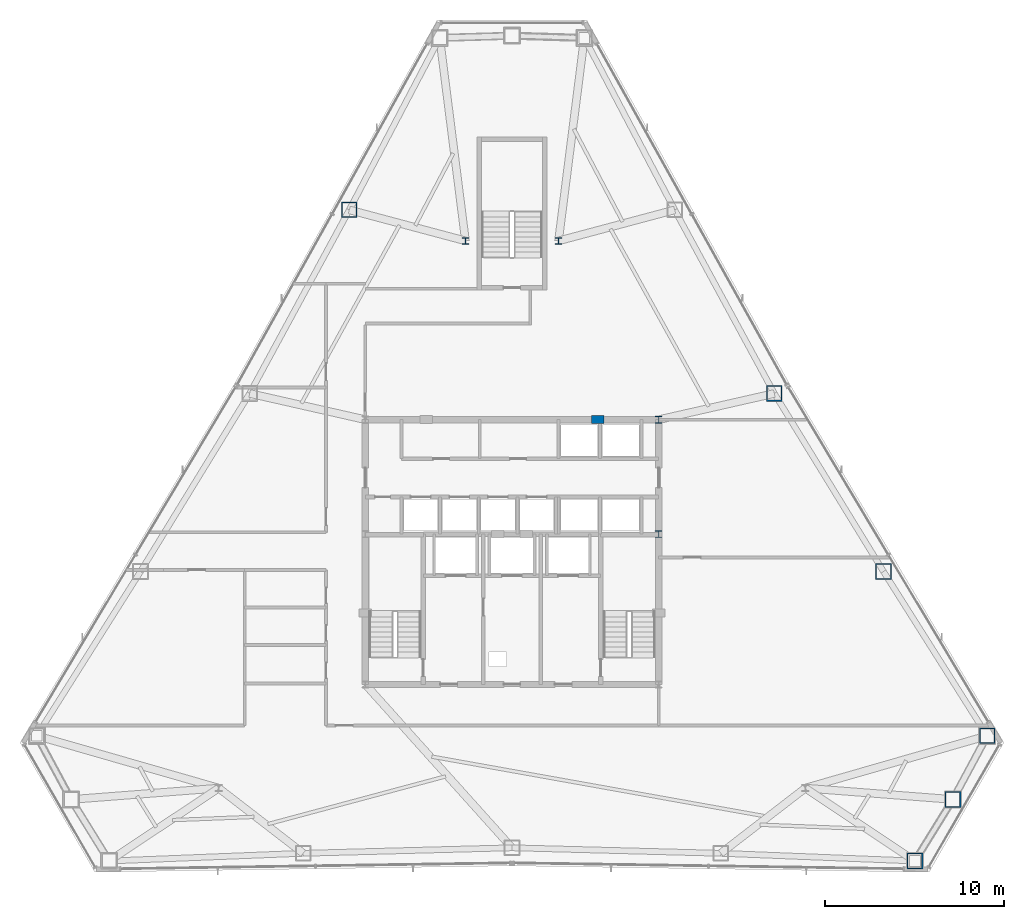
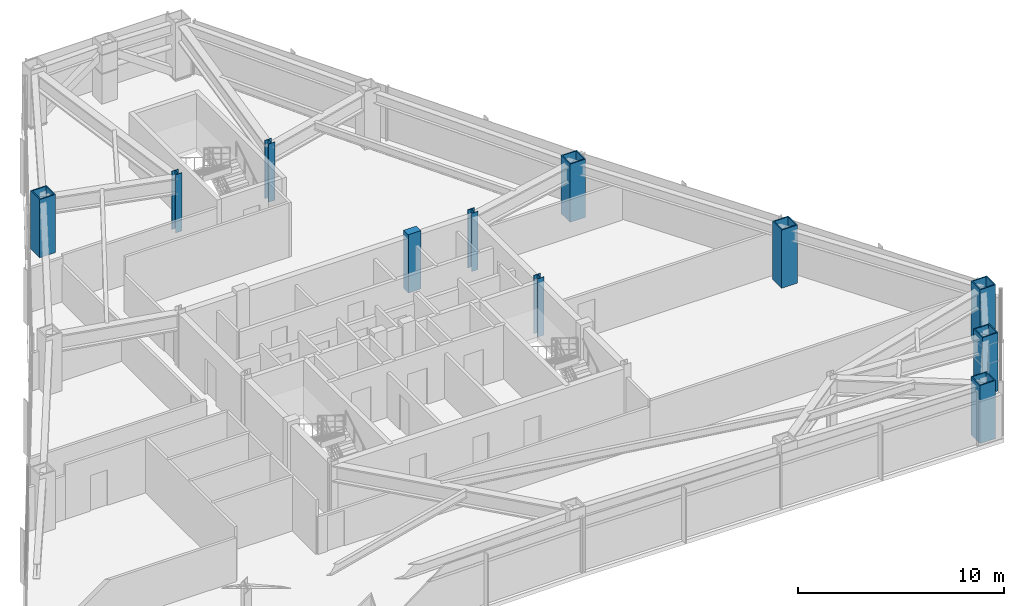
# One storey, part 2 of 13: 11 columns.
"""IFC4 building model written with IfcOpenShell, lengths in metres."""

from ifc_helpers import new_model, si_unit, direction, frame, origin, origin_2d, place, context, subcontext, project, spatial, rectangle, hollow_rectangle, i_section, extrude, material, material_profile, profile_set, type_object, element, save


model = new_model("IFC4")

# Units and contexts
model_context = context("Model", 3, precision=1e-05, world=origin(), true_north=direction((0.0, 1.0)))
body_context = subcontext(model_context, "Body", "Model", "MODEL_VIEW")
ifc_project = project(units=[si_unit("LENGTHUNIT", "METRE"), si_unit("AREAUNIT", "SQUARE_METRE"), si_unit("VOLUMEUNIT", "CUBIC_METRE"), si_unit("PLANEANGLEUNIT", "RADIAN"), si_unit("MASSUNIT", "GRAM", prefix="KILO")], contexts=[model_context])

# Site, building, storey
site_placement = place(None, origin())
site = spatial("IfcSite", under=ifc_project, at=site_placement, CompositionType="ELEMENT")
building_placement = place(site_placement, origin())
building = spatial("IfcBuilding", under=site, at=building_placement, Name="Varakhsha Concourse Tower", CompositionType="ELEMENT")
storey_placement = place(building_placement, frame((0.0, 0.0, 147.050048828125)))
storey = spatial("IfcBuildingStorey", under=building, at=storey_placement, Name="L42", CompositionType="ELEMENT", Elevation=147.050048828125)

# Columns
ifc_material_1 = material(Name="Structural Steel ASTM A992 Grade 50", Category="steel")
ifc_material_profile_1 = material_profile(ifc_material_1, i_section(OverallWidth=0.3740234375, OverallDepth=0.3720703125, WebThickness=0.01611328125, FlangeThickness=0.02587890625, at=origin_2d()), Name="W14X132")
ifc_profile_set_1 = profile_set([ifc_material_profile_1], Name="Structural Steel ASTM A992 Grade 50")
column_type_1 = type_object("IfcColumnType", Name="CL-CORE-W14X132", PredefinedType="COLUMN", material=ifc_profile_set_1)
for number, where, z_axis, x_axis, name in (
    (1, (48.199951171875, 24.800048828125, 0.0), (0.0, 0.0, 1.0), (1.0, 0.0, 0.0), "L42 Core Column CC-ME"),
    (2, (48.199951171875, 31.199951171875, 0.0), (0.0, 0.0, 1.0), (1.0, 0.0, 0.0), "L42 Core Column CC-NE"),
    (3, (37.39990234375, 41.199951171875, 0.0), (0.0, 0.0, 1.0), (1.0, 0.0, 0.0), "L42 Core Column NS-W"),
    (4, (42.60009765625, 41.199951171875, 0.0), (0.0, 0.0, 1.0), (1.0, 0.0, 0.0), "L42 Core Column NS-E"),
):
    element("IfcColumn", number, at=place(storey_placement, frame(where, z_axis=z_axis, x_axis=x_axis)), inside=storey, type_object=column_type_1, Name=name, PredefinedType="COLUMN", context=body_context, shape_type="SweptSolid", body=[
        extrude(i_section(OverallWidth=0.3740234375, OverallDepth=0.3720703125, WebThickness=0.01611328125, FlangeThickness=0.02587890625, at=origin_2d()), origin(), (0.0, 0.0, 1.0), 3.449951171875),
    ])
ifc_material_2 = material(Name="Concrete fc 65 MPa", Category="concrete")
ifc_material_profile_2 = material_profile(ifc_material_2, rectangle(XDim=0.699951171875, YDim=0.449951171875, at=origin_2d()), Name="RC 700x450")
ifc_profile_set_2 = profile_set([ifc_material_profile_2], Name="Concrete fc 65 MPa")
column_type_2 = type_object("IfcColumnType", Name="CL-PIL-700X450", PredefinedType="PILASTER", material=ifc_profile_set_2)
column_placement = place(storey_placement, frame((44.800048828125, 31.199951171875, 0.0), z_axis=(0.0, 0.0, 1.0), x_axis=(1.0, 0.0, 0.0)))
element("IfcColumn", 5, at=column_placement, inside=storey, type_object=column_type_2, Name="L42 Core Boundary Pilaster PIL-N2", PredefinedType="PILASTER", context=body_context, shape_type="SweptSolid", body=[
    extrude(rectangle(XDim=0.699951171875, YDim=0.449951171875, at=origin_2d()), origin(), (0.0, 0.0, 1.0), 3.449951171875),
])
ifc_material_3 = material(Name="Structural Steel ASTM A572 Grade 50", Category="steel")
ifc_material_profile_3 = material_profile(ifc_material_3, hollow_rectangle(XDim=0.8798828125, YDim=0.8798828125, WallThickness=0.06005859375, at=origin_2d()), Name="BOX 880x880x60")
ifc_profile_set_3 = profile_set([ifc_material_profile_3], Name="Structural Steel ASTM A572 Grade 50")
column_type_3 = type_object("IfcColumnType", Name="CL-TUBE-880", PredefinedType="COLUMN", material=ifc_profile_set_3)
for number, where, z_axis, x_axis, name in (
    (6, (30.90380859375, 42.933837890625, 0.0), (0.0, 0.0, 1.0), (1.0, 0.0, 0.0), "L42 Framed-Tube Column TC04"),
    (7, (62.52880859375, 6.524658203125, 0.0), (0.0, 0.0, 1.0), (1.0, 0.0, 0.0), "L42 Framed-Tube Column TC13"),
    (8, (64.65576171875, 9.96484375, 0.0), (0.0, 0.0, 1.0), (1.0, 0.0, 0.0), "L42 Framed-Tube Column TC14"),
    (9, (66.57177734375, 13.527099609375, 0.0), (0.0, 0.0, 1.0), (1.0, 0.0, 0.0), "L42 Framed-Tube Column TC15"),
    (10, (60.77197265625, 22.710693359375, 0.0), (0.0, 0.0, 1.0), (1.0, 0.0, 0.0), "L42 Framed-Tube Column TC16"),
    (11, (54.66748046875, 32.668212890625, 0.0), (0.0, 0.0, 1.0), (1.0, 0.0, 0.0), "L42 Framed-Tube Column TC17"),
):
    element("IfcColumn", number, at=place(storey_placement, frame(where, z_axis=z_axis, x_axis=x_axis)), inside=storey, type_object=column_type_3, Name=name, PredefinedType="COLUMN", context=body_context, shape_type="SweptSolid", body=[
        extrude(hollow_rectangle(XDim=0.8798828125, YDim=0.8798828125, WallThickness=0.06005859375, at=origin_2d()), origin(), (0.0, 0.0, 1.0), 3.449951171875),
    ])

save(model, "model.ifc")
